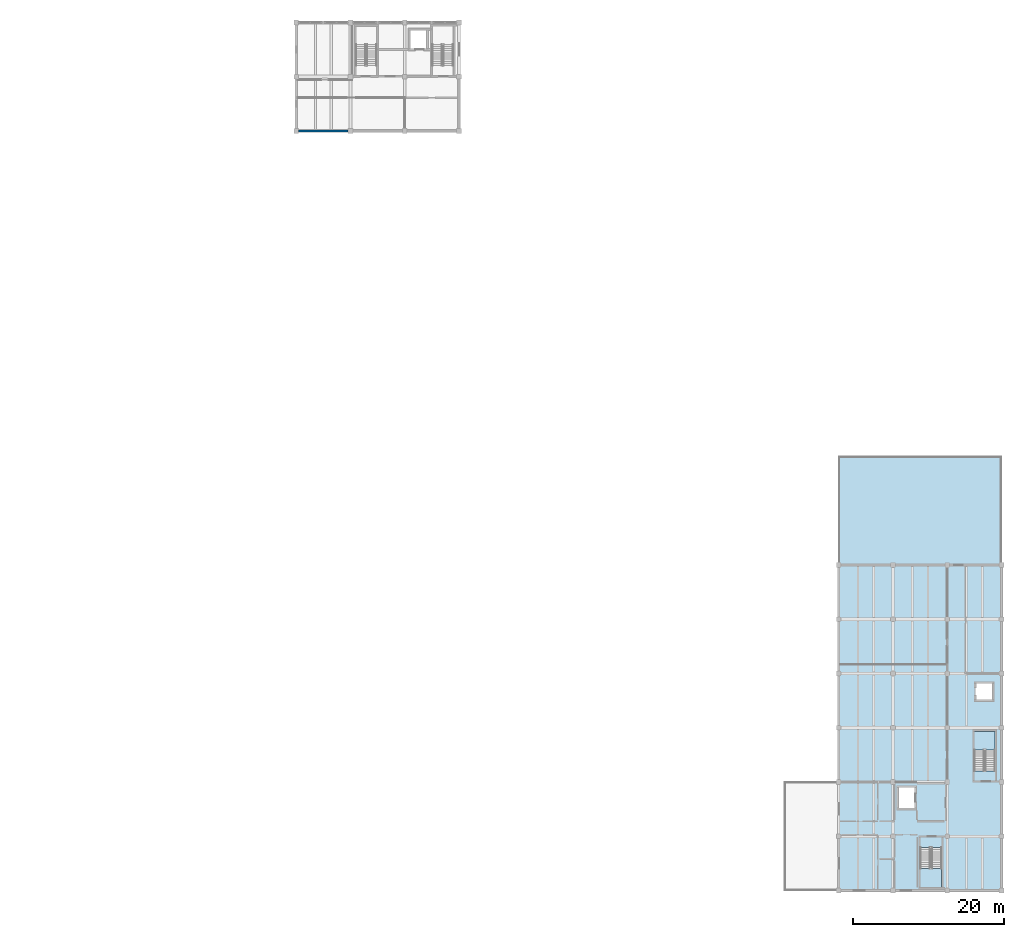
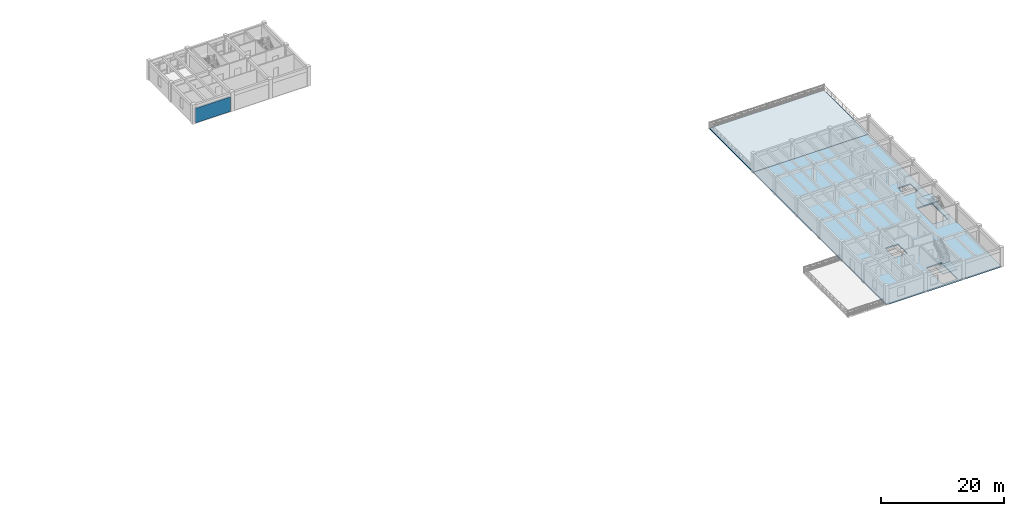
# One storey, part 6 of 13: 4 slabs, 1 wall, 2 elements without a shape of their own.
"""IFC4 building model written with IfcOpenShell, lengths in metres."""

from ifc_helpers import new_model, si_unit, direction, frame, frame_2d, origin, place, context, subcontext, project, spatial, polyline, rectangle, outline, extrude, material, layer, layer_set, type_object, element, aggregate, save


model = new_model("IFC4")

# Units and contexts
model_context = context("Model", 3, precision=1e-05, world=origin(), true_north=direction((0.0, 1.0)))
body_context = subcontext(model_context, "Body", "Model", "MODEL_VIEW")
ifc_project = project(units=[si_unit("LENGTHUNIT", "METRE"), si_unit("AREAUNIT", "SQUARE_METRE"), si_unit("VOLUMEUNIT", "CUBIC_METRE"), si_unit("PLANEANGLEUNIT", "RADIAN"), si_unit("MASSUNIT", "GRAM", prefix="KILO")], contexts=[model_context])

# Site, building, storey
site_placement = place(None, origin())
site = spatial("IfcSite", under=ifc_project, at=site_placement, CompositionType="ELEMENT")
building_placement = place(site_placement, origin())
building = spatial("IfcBuilding", under=site, at=building_placement, Name="Koriwan Promenade Central Fire Station", CompositionType="ELEMENT")
storey_placement = place(building_placement, frame((0.0, 0.0, 13.5)))
storey = spatial("IfcBuildingStorey", under=building, at=storey_placement, Name="L03", CompositionType="ELEMENT", Elevation=13.5)

# Slab
ifc_material_1 = material(Name="Concrete C35/45", Category="concrete")
ifc_layer_1 = layer(ifc_material_1, 0.25, Name="Concrete C35/45")
ifc_layer_set_1 = layer_set([ifc_layer_1], Name="Concrete C35/45")
slab_type_1 = type_object("IfcSlabType", Name="FloorSlab_250", PredefinedType="FLOOR", material=ifc_layer_set_1)
slab_1_placement = place(storey_placement, frame((0.0, 0.0, -0.25)))
element("IfcSlab", 1, at=slab_1_placement, inside=storey, type_object=slab_type_1, Name="V5 L03 structural slab 1", PredefinedType="FLOOR", context=body_context, shape_type="SweptSolid", body=[
    extrude(outline(polyline([(172.800048828125, 43.199951171875), (172.800048828125, 0.0), (151.199951171875, 0.0), (151.199951171875, 43.199951171875), (172.800048828125, 43.199951171875)]), holes=[polyline([(164.85009765625, 5.697998046875), (162.0, 5.697998046875), (162.0, 0.429931640625), (164.85009765625, 0.429931640625), (164.85009765625, 5.697998046875)]), polyline([(171.949951171875, 15.8720703125), (171.949951171875, 21.110107421875), (169.159912109375, 21.110107421875), (169.159912109375, 15.8720703125), (171.949951171875, 15.8720703125)]), polyline([(159.0, 10.800048828125), (161.39990234375, 10.800048828125), (161.39990234375, 13.800048828125), (159.0, 13.800048828125), (159.0, 10.800048828125)]), polyline([(171.699951171875, 27.60009765625), (169.300048828125, 27.60009765625), (169.300048828125, 25.199951171875), (171.699951171875, 25.199951171875), (171.699951171875, 27.60009765625)])]), origin(), (0.0, 0.0, 1.0), 0.25),
])

# Stair, slab
stair_type_1 = type_object("IfcStairType", Name="Stair_HALF_22R_1350", PredefinedType="HALF_TURN_STAIR", material=ifc_material_1)
stair_1_placement = place(storey_placement, origin())
stair_1 = element("IfcStair", 2, at=stair_1_placement, inside=storey, type_object=stair_type_1, Name="L03 Protected Stair ST22", PredefinedType="HALF_TURN_STAIR")
ifc_layer_2 = layer(ifc_material_1, 0.199951171875, Name="Concrete C35/45")
ifc_layer_set_2 = layer_set([ifc_layer_2], Name="Concrete C35/45")
slab_type_2 = type_object("IfcSlabType", Name="StairLanding_200", PredefinedType="LANDING", material=ifc_layer_set_2)
slab_2_placement = place(storey_placement, frame((0.0, 0.0, 1.75)))
slab_2 = element("IfcSlab", 3, at=slab_2_placement, type_object=slab_type_2, Name="ST22 landing 1", PredefinedType="LANDING", context=body_context, shape_type="SweptSolid", body=[
    extrude(outline(polyline([(162.0, 2.89990234375), (162.0, 0.429931640625), (164.85009765625, 0.429931640625), (164.85009765625, 2.89990234375), (162.0, 2.89990234375)])), origin(), (0.0, 0.0, 1.0), 0.199951171875),
])
aggregate(stair_1, [slab_2])

stair_type_2 = type_object("IfcStairType", Name="Stair_HALF_22R_1320", PredefinedType="HALF_TURN_STAIR", material=ifc_material_1)
stair_2_placement = place(storey_placement, origin())
stair_2 = element("IfcStair", 4, at=stair_2_placement, inside=storey, type_object=stair_type_2, Name="L03 Protected Stair ST27", PredefinedType="HALF_TURN_STAIR")
slab_3_placement = place(storey_placement, frame((0.0, 0.0, 1.75)))
slab_3 = element("IfcSlab", 5, at=slab_3_placement, type_object=slab_type_2, Name="ST27 landing 1", PredefinedType="LANDING", context=body_context, shape_type="SweptSolid", body=[
    extrude(outline(polyline([(171.949951171875, 18.669921875), (171.949951171875, 21.110107421875), (169.159912109375, 21.110107421875), (169.159912109375, 18.669921875), (171.949951171875, 18.669921875)])), origin(), (0.0, 0.0, 1.0), 0.199951171875),
])
aggregate(stair_2, [slab_3])

# Slab
ifc_layer_3 = layer(ifc_material_1, 0.239990234375, Name="Concrete C35/45")
ifc_layer_set_3 = layer_set([ifc_layer_3], Name="Concrete C35/45")
slab_type_3 = type_object("IfcSlabType", Name="TerraceSlab_240", PredefinedType="FLOOR", material=ifc_layer_set_3)
slab_4_placement = place(storey_placement, frame((0.0, 0.0, -0.239990234375)))
element("IfcSlab", 6, at=slab_4_placement, inside=storey, type_object=slab_type_3, Name="East Courtyard Roof Garden (L03)", PredefinedType="FLOOR", context=body_context, shape_type="SweptSolid", body=[
    extrude(outline(polyline([(172.780029296875, 43.219970703125), (151.219970703125, 43.219970703125), (151.219970703125, 57.580078125), (172.780029296875, 57.580078125), (172.780029296875, 43.219970703125)])), origin(), (0.0, 0.0, 1.0), 0.239990234375),
])

# Wall
ifc_material_2 = material(Name="Precast concrete C40/50", Category="concrete")
ifc_layer_4 = layer(ifc_material_2, 0.280029296875, Name="Precast concrete C40/50")
ifc_layer_set_4 = layer_set([ifc_layer_4], Name="Precast concrete C40/50")
wall_type = type_object("IfcWallType", Name="ExtWall_Terracotta_280", PredefinedType="ELEMENTEDWALL", material=ifc_layer_set_4)
wall_placement = place(storey_placement, frame((79.52490234375, 100.800048828125, 0.0), z_axis=(0.0, 0.0, 1.0), x_axis=(1.0, 0.0, 0.0)))
element("IfcWall", 7, at=wall_placement, inside=storey, type_object=wall_type, Name="V2 L03 exterior wall 88", PredefinedType="ELEMENTEDWALL", context=body_context, shape_type="SweptSolid", body=[
    extrude(rectangle(XDim=6.550048828125, YDim=0.280029296875, at=frame_2d((3.27490234375, 0.0))), origin(), (0.0, 0.0, 1.0), 2.889892578125),
])

save(model, "model.ifc")
